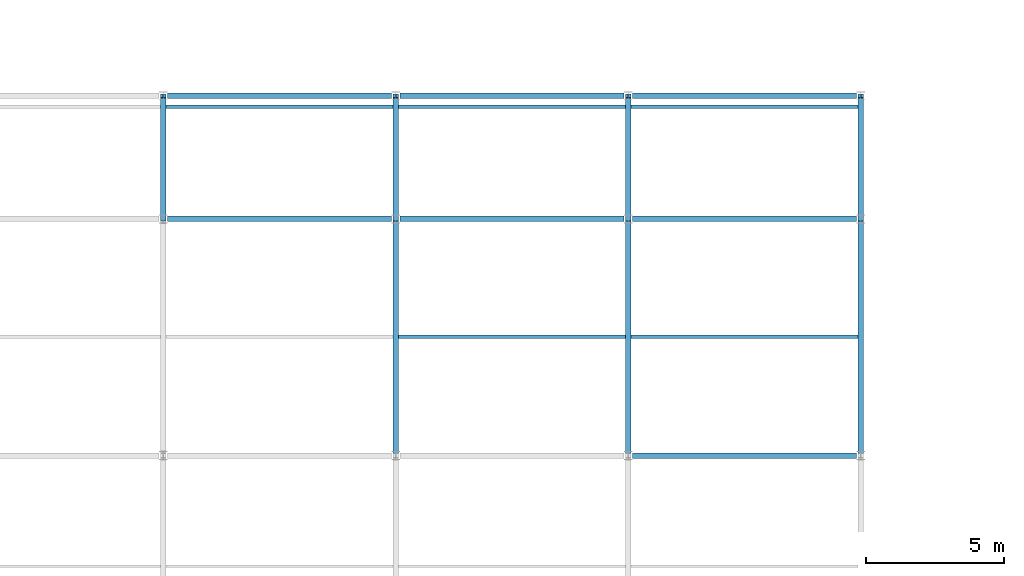
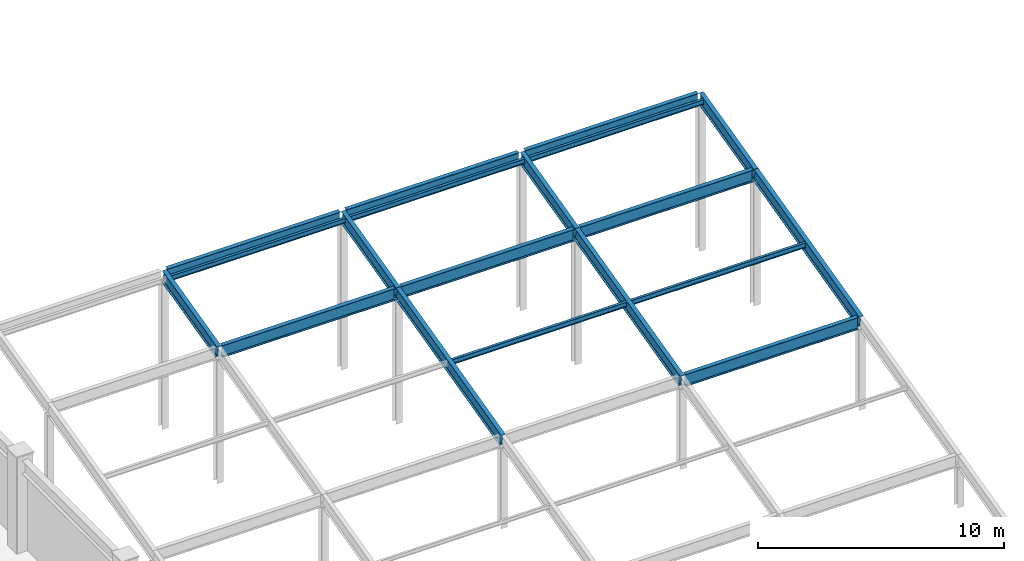
# One storey, part 44 of 93: 19 beams.
"""IFC4 building model written with IfcOpenShell, lengths in metres."""

from ifc_helpers import new_model, si_unit, direction, frame, origin, origin_2d, place, context, subcontext, project, spatial, i_section, extrude, material, material_profile, profile_set, type_object, element, save


model = new_model("IFC4")

# Units and contexts
model_context = context("Model", 3, precision=1e-05, world=origin(), true_north=direction((0.0, 1.0)))
body_context = subcontext(model_context, "Body", "Model", "MODEL_VIEW")
ifc_project = project(units=[si_unit("LENGTHUNIT", "METRE"), si_unit("AREAUNIT", "SQUARE_METRE"), si_unit("VOLUMEUNIT", "CUBIC_METRE"), si_unit("PLANEANGLEUNIT", "RADIAN"), si_unit("MASSUNIT", "GRAM", prefix="KILO")], contexts=[model_context])

# Site, building, storey
site_placement = place(None, origin())
site = spatial("IfcSite", under=ifc_project, at=site_placement, CompositionType="ELEMENT")
building_placement = place(site_placement, origin())
building = spatial("IfcBuilding", under=site, at=building_placement, Name="Kazehara Bluff Congress Hotel", CompositionType="ELEMENT")
storey_placement = place(building_placement, frame((0.0, 0.0, 15.0)))
storey = spatial("IfcBuildingStorey", under=building, at=storey_placement, Name="L03", CompositionType="ELEMENT", Elevation=15.0)

# Beams
ifc_material_1 = material(Name="Steel SN490B", Category="steel")
ifc_material_profile_1 = material_profile(ifc_material_1, i_section(OverallWidth=0.199951171875, OverallDepth=0.60009765625, WebThickness=0.010986328125, FlangeThickness=0.01708984375, FilletRadius=0.012939453125, at=origin_2d()))
ifc_profile_set_1 = profile_set([ifc_material_profile_1], Name="Steel SN490B")
beam_type_1 = type_object("IfcBeamType", Name="TP-G-02", PredefinedType="BEAM", material=ifc_profile_set_1)
beam_1_placement = place(storey_placement, frame((67.64990234375, 105.449951171875, 6.419921875), z_axis=(0.0, 0.97052653134, 0.240994298614), x_axis=(-1.0, 0.0, 0.0)))
element("IfcBeam", 1, at=beam_1_placement, inside=storey, type_object=beam_type_1, Name="Spa sloped roof rafter X=67.65 bay 4", PredefinedType="BEAM", context=body_context, shape_type="SweptSolid", body=[
    extrude(i_section(OverallWidth=0.199951171875, OverallDepth=0.60009765625, WebThickness=0.010986328125, FlangeThickness=0.01708984375, FilletRadius=0.012939453125, at=origin_2d()), origin(), (0.0, 0.0, 1.0), 4.585205078125),
])
beam_2_placement = place(storey_placement, frame((76.050048828125, 96.89990234375, 4.284912109375), z_axis=(0.0, 0.970209278001, 0.24226835716), x_axis=(-1.0, 0.0, 0.0)))
element("IfcBeam", 2, at=beam_2_placement, inside=storey, type_object=beam_type_1, Name="Spa sloped roof rafter X=76.05 bay 3", PredefinedType="BEAM", context=body_context, shape_type="SweptSolid", body=[
    extrude(i_section(OverallWidth=0.199951171875, OverallDepth=0.60009765625, WebThickness=0.010986328125, FlangeThickness=0.01708984375, FilletRadius=0.012939453125, at=origin_2d()), origin(), (0.0, 0.0, 1.0), 8.8125),
])
beam_3_placement = place(storey_placement, frame((76.050048828125, 105.449951171875, 6.419921875), z_axis=(0.0, 0.97052653134, 0.240994298614), x_axis=(-1.0, 0.0, 0.0)))
element("IfcBeam", 3, at=beam_3_placement, inside=storey, type_object=beam_type_1, Name="Spa sloped roof rafter X=76.05 bay 4", PredefinedType="BEAM", context=body_context, shape_type="SweptSolid", body=[
    extrude(i_section(OverallWidth=0.199951171875, OverallDepth=0.60009765625, WebThickness=0.010986328125, FlangeThickness=0.01708984375, FilletRadius=0.012939453125, at=origin_2d()), origin(), (0.0, 0.0, 1.0), 4.585205078125),
])
beam_4_placement = place(storey_placement, frame((84.449951171875, 96.89990234375, 4.284912109375), z_axis=(0.0, 0.970209278001, 0.24226835716), x_axis=(-1.0, 0.0, 0.0)))
element("IfcBeam", 4, at=beam_4_placement, inside=storey, type_object=beam_type_1, Name="Spa sloped roof rafter X=84.45 bay 3", PredefinedType="BEAM", context=body_context, shape_type="SweptSolid", body=[
    extrude(i_section(OverallWidth=0.199951171875, OverallDepth=0.60009765625, WebThickness=0.010986328125, FlangeThickness=0.01708984375, FilletRadius=0.012939453125, at=origin_2d()), origin(), (0.0, 0.0, 1.0), 8.8125),
])
beam_5_placement = place(storey_placement, frame((84.449951171875, 105.449951171875, 6.419921875), z_axis=(0.0, 0.97052653134, 0.240994298614), x_axis=(-1.0, 0.0, 0.0)))
element("IfcBeam", 5, at=beam_5_placement, inside=storey, type_object=beam_type_1, Name="Spa sloped roof rafter X=84.45 bay 4", PredefinedType="BEAM", context=body_context, shape_type="SweptSolid", body=[
    extrude(i_section(OverallWidth=0.199951171875, OverallDepth=0.60009765625, WebThickness=0.010986328125, FlangeThickness=0.01708984375, FilletRadius=0.012939453125, at=origin_2d()), origin(), (0.0, 0.0, 1.0), 4.585205078125),
])
beam_6_placement = place(storey_placement, frame((92.85009765625, 96.89990234375, 4.284912109375), z_axis=(0.0, 0.970209278001, 0.24226835716), x_axis=(-1.0, 0.0, 0.0)))
element("IfcBeam", 6, at=beam_6_placement, inside=storey, type_object=beam_type_1, Name="Spa sloped roof rafter X=92.85 bay 3", PredefinedType="BEAM", context=body_context, shape_type="SweptSolid", body=[
    extrude(i_section(OverallWidth=0.199951171875, OverallDepth=0.60009765625, WebThickness=0.010986328125, FlangeThickness=0.01708984375, FilletRadius=0.012939453125, at=origin_2d()), origin(), (0.0, 0.0, 1.0), 8.8125),
])
beam_7_placement = place(storey_placement, frame((92.85009765625, 105.449951171875, 6.419921875), z_axis=(0.0, 0.97052653134, 0.240994298614), x_axis=(-1.0, 0.0, 0.0)))
element("IfcBeam", 7, at=beam_7_placement, inside=storey, type_object=beam_type_1, Name="Spa sloped roof rafter X=92.85 bay 4", PredefinedType="BEAM", context=body_context, shape_type="SweptSolid", body=[
    extrude(i_section(OverallWidth=0.199951171875, OverallDepth=0.60009765625, WebThickness=0.010986328125, FlangeThickness=0.01708984375, FilletRadius=0.012939453125, at=origin_2d()), origin(), (0.0, 0.0, 1.0), 4.585205078125),
])
for number, where, z_axis, x_axis, name in (
    (8, (84.60009765625, 96.89990234375, 4.284912109375), (1.0, 0.0, 0.0), (0.0, 1.0, 0.0), "Spa roof tie beam Y=96.90 84"),
    (9, (67.800048828125, 105.449951171875, 6.419921875), (1.0, 0.0, 0.0), (0.0, 1.0, 0.0), "Spa roof tie beam Y=105.45 68"),
):
    element("IfcBeam", number, at=place(storey_placement, frame(where, z_axis=z_axis, x_axis=x_axis)), inside=storey, type_object=beam_type_1, Name=name, PredefinedType="BEAM", context=body_context, shape_type="SweptSolid", body=[
        extrude(i_section(OverallWidth=0.199951171875, OverallDepth=0.60009765625, WebThickness=0.010986328125, FlangeThickness=0.01708984375, FilletRadius=0.012939453125, at=origin_2d()), origin(), (0.0, 0.0, 1.0), 8.099853515625),
    ])
beam_8_placement = place(storey_placement, frame((76.199951171875, 105.449951171875, 6.419921875), z_axis=(1.0, 0.0, 0.0), x_axis=(0.0, 1.0, 0.0)))
element("IfcBeam", 10, at=beam_8_placement, inside=storey, type_object=beam_type_1, Name="Spa roof tie beam Y=105.45 76", PredefinedType="BEAM", context=body_context, shape_type="SweptSolid", body=[
    extrude(i_section(OverallWidth=0.199951171875, OverallDepth=0.60009765625, WebThickness=0.010986328125, FlangeThickness=0.01708984375, FilletRadius=0.012939453125, at=origin_2d()), origin(), (0.0, 0.0, 1.0), 8.10009765625),
])
for number, where, z_axis, x_axis, name in (
    (11, (84.60009765625, 105.449951171875, 6.419921875), (1.0, 0.0, 0.0), (0.0, 1.0, 0.0), "Spa roof tie beam Y=105.45 84"),
    (12, (67.800048828125, 109.89990234375, 7.52490234375), (1.0, 0.0, 0.0), (0.0, 1.0, 0.0), "Spa roof tie beam Y=109.90 68"),
):
    element("IfcBeam", number, at=place(storey_placement, frame(where, z_axis=z_axis, x_axis=x_axis)), inside=storey, type_object=beam_type_1, Name=name, PredefinedType="BEAM", context=body_context, shape_type="SweptSolid", body=[
        extrude(i_section(OverallWidth=0.199951171875, OverallDepth=0.60009765625, WebThickness=0.010986328125, FlangeThickness=0.01708984375, FilletRadius=0.012939453125, at=origin_2d()), origin(), (0.0, 0.0, 1.0), 8.099853515625),
    ])
beam_9_placement = place(storey_placement, frame((76.199951171875, 109.89990234375, 7.52490234375), z_axis=(1.0, 0.0, 0.0), x_axis=(0.0, 1.0, 0.0)))
element("IfcBeam", 13, at=beam_9_placement, inside=storey, type_object=beam_type_1, Name="Spa roof tie beam Y=109.90 76", PredefinedType="BEAM", context=body_context, shape_type="SweptSolid", body=[
    extrude(i_section(OverallWidth=0.199951171875, OverallDepth=0.60009765625, WebThickness=0.010986328125, FlangeThickness=0.01708984375, FilletRadius=0.012939453125, at=origin_2d()), origin(), (0.0, 0.0, 1.0), 8.10009765625),
])
beam_10_placement = place(storey_placement, frame((84.60009765625, 109.89990234375, 7.52490234375), z_axis=(1.0, 0.0, 0.0), x_axis=(0.0, 1.0, 0.0)))
element("IfcBeam", 14, at=beam_10_placement, inside=storey, type_object=beam_type_1, Name="Spa roof tie beam Y=109.90 84", PredefinedType="BEAM", context=body_context, shape_type="SweptSolid", body=[
    extrude(i_section(OverallWidth=0.199951171875, OverallDepth=0.60009765625, WebThickness=0.010986328125, FlangeThickness=0.01708984375, FilletRadius=0.012939453125, at=origin_2d()), origin(), (0.0, 0.0, 1.0), 8.099853515625),
])
ifc_material_2 = material(Name="Steel SN400B", Category="steel")
ifc_material_profile_2 = material_profile(ifc_material_2, i_section(OverallWidth=0.125, OverallDepth=0.25, WebThickness=0.006103515625, FlangeThickness=0.009033203125, FilletRadius=0.008056640625, at=origin_2d()))
ifc_profile_set_2 = profile_set([ifc_material_profile_2], Name="Steel SN400B")
beam_type_2 = type_object("IfcBeamType", Name="TP-PR-02", PredefinedType="USERDEFINED", material=ifc_profile_set_2)
beam_11_placement = place(storey_placement, frame((67.75, 109.5, 7.594970703125), z_axis=(1.0, 0.0, 0.0), x_axis=(0.0, 1.0, 0.0)))
element("IfcBeam", 15, at=beam_11_placement, inside=storey, type_object=beam_type_2, Name="Spa sloped roof purlin PR-02 8", ObjectType="PURLIN", PredefinedType="USERDEFINED", context=body_context, shape_type="SweptSolid", body=[
    extrude(i_section(OverallWidth=0.125, OverallDepth=0.25, WebThickness=0.006103515625, FlangeThickness=0.009033203125, FilletRadius=0.008056640625, at=origin_2d()), origin(), (0.0, 0.0, 1.0), 8.199951171875),
])
for number, where, z_axis, x_axis, name in (
    (16, (76.14990234375, 101.199951171875, 5.52490234375), (1.0, 0.0, 0.0), (0.0, 1.0, 0.0), "Spa sloped roof purlin PR-02 11"),
    (17, (76.14990234375, 109.5, 7.594970703125), (1.0, 0.0, 0.0), (0.0, 1.0, 0.0), "Spa sloped roof purlin PR-02 12"),
):
    element("IfcBeam", number, at=place(storey_placement, frame(where, z_axis=z_axis, x_axis=x_axis)), inside=storey, type_object=beam_type_2, Name=name, ObjectType="PURLIN", PredefinedType="USERDEFINED", context=body_context, shape_type="SweptSolid", body=[
        extrude(i_section(OverallWidth=0.125, OverallDepth=0.25, WebThickness=0.006103515625, FlangeThickness=0.009033203125, FilletRadius=0.008056640625, at=origin_2d()), origin(), (0.0, 0.0, 1.0), 8.2001953125),
    ])
for number, where, z_axis, x_axis, name in (
    (18, (84.550048828125, 101.199951171875, 5.52490234375), (1.0, 0.0, 0.0), (0.0, 1.0, 0.0), "Spa sloped roof purlin PR-02 15"),
    (19, (84.550048828125, 109.5, 7.594970703125), (1.0, 0.0, 0.0), (0.0, 1.0, 0.0), "Spa sloped roof purlin PR-02 16"),
):
    element("IfcBeam", number, at=place(storey_placement, frame(where, z_axis=z_axis, x_axis=x_axis)), inside=storey, type_object=beam_type_2, Name=name, ObjectType="PURLIN", PredefinedType="USERDEFINED", context=body_context, shape_type="SweptSolid", body=[
        extrude(i_section(OverallWidth=0.125, OverallDepth=0.25, WebThickness=0.006103515625, FlangeThickness=0.009033203125, FilletRadius=0.008056640625, at=origin_2d()), origin(), (0.0, 0.0, 1.0), 8.199951171875),
    ])

save(model, "model.ifc")
